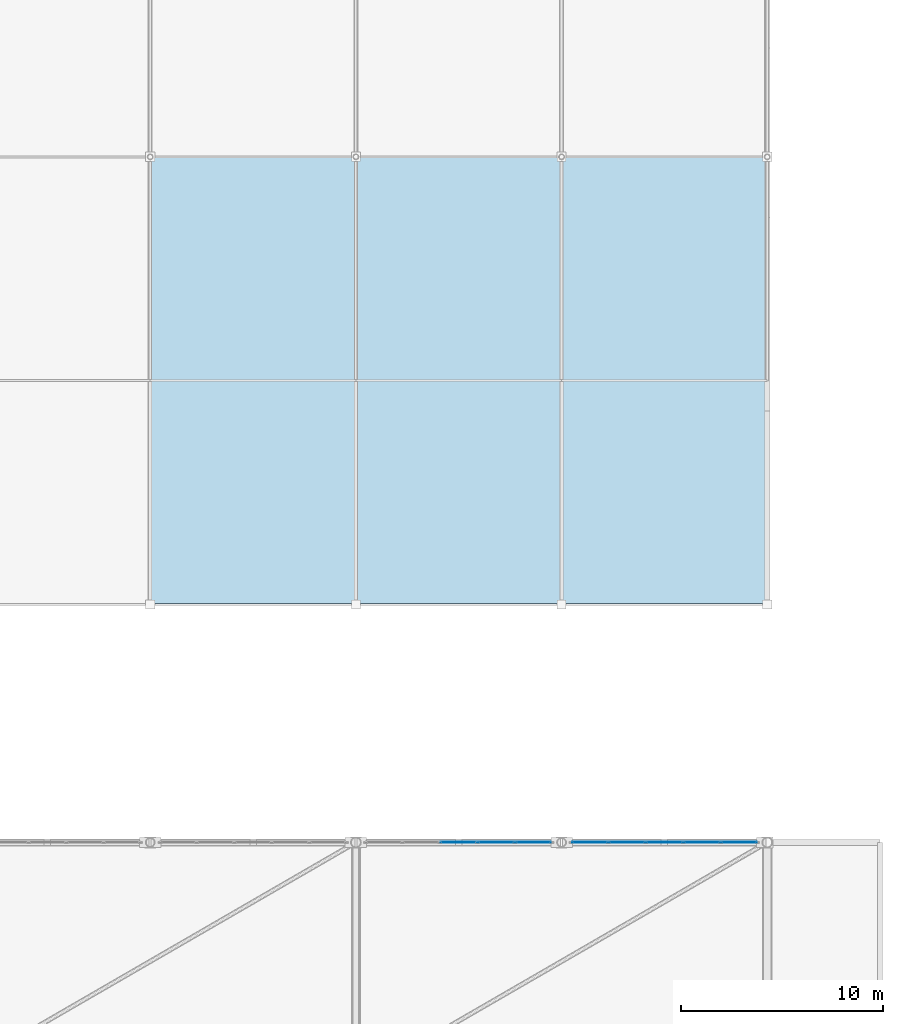
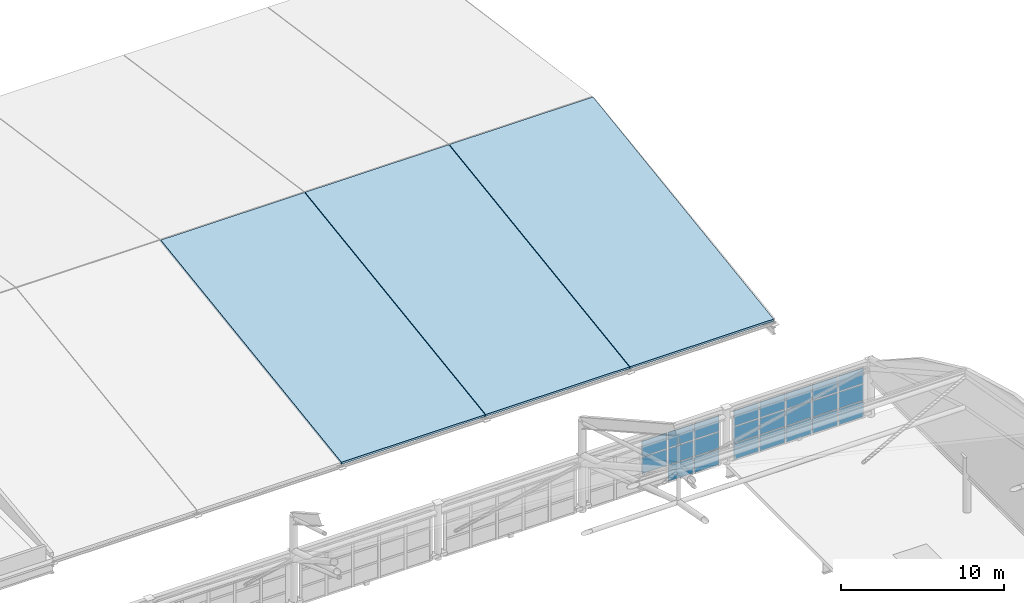
# One storey, part 113 of 135: 23 plates, 3 slabs, 2 elements without a shape of their own.
"""IFC4 building model written with IfcOpenShell, lengths in metres."""

from ifc_helpers import new_model, si_unit, direction, frame, origin, origin_2d, place, context, subcontext, project, spatial, polyline, rectangle, outline, extrude, material, layer, layer_set, type_object, element, aggregate, save


model = new_model("IFC4")

# Units and contexts
model_context = context("Model", 3, precision=1e-05, world=origin(), true_north=direction((0.0, 1.0)))
body_context = subcontext(model_context, "Body", "Model", "MODEL_VIEW")
ifc_project = project(units=[si_unit("LENGTHUNIT", "METRE"), si_unit("AREAUNIT", "SQUARE_METRE"), si_unit("VOLUMEUNIT", "CUBIC_METRE"), si_unit("PLANEANGLEUNIT", "RADIAN"), si_unit("MASSUNIT", "GRAM", prefix="KILO")], contexts=[model_context])

# Site, building, storey
site_placement = place(None, origin())
site = spatial("IfcSite", under=ifc_project, at=site_placement, CompositionType="ELEMENT")
building_placement = place(site_placement, origin())
building = spatial("IfcBuilding", under=site, at=building_placement, Name="Brelvane Convention Centre", CompositionType="ELEMENT")
storey_placement = place(building_placement, frame((0.0, 0.0, 15.0)))
storey = spatial("IfcBuildingStorey", under=building, at=storey_placement, Name="L03", CompositionType="ELEMENT", Elevation=15.0)

# Curtain wall, plates
ifc_material_1 = material(Name="Anodised Aluminium Alloy 6063-T6", Category="aluminium")
curtain_wall_type = type_object("IfcCurtainWallType", Name="Curtain Wall CW-PLEN-E", PredefinedType="USERDEFINED", material=ifc_material_1)
curtain_wall_1_placement = place(storey_placement, origin())
curtain_wall_1 = element("IfcCurtainWall", 1, at=curtain_wall_1_placement, inside=storey, type_object=curtain_wall_type, Name="Curtain Wall CW-PLEN-E L03-PLEN-N-CLER-5", ObjectType="UNITISED", PredefinedType="USERDEFINED")
ifc_material_2 = material(Name="Double Glazed Low-E Laminated Unit")
ifc_layer_1 = layer(ifc_material_2, 0.0439453125)
ifc_layer_set_1 = layer_set([ifc_layer_1], Name="Double Glazed Low-E Laminated Unit")
plate_type = type_object("IfcPlateType", Name="Curtain Panel CW-PG3", PredefinedType="CURTAIN_PANEL", material=ifc_layer_set_1)
plate_1_placement = place(storey_placement, frame((209.10009765625, 87.800048828125, 1.3017578125), z_axis=(0.0, 0.0, 1.0), x_axis=(1.0, 0.0, 0.0)))
plate_1 = element("IfcPlate", 2, at=plate_1_placement, type_object=plate_type, Name="CW-PLEN-E panel 3.2", PredefinedType="CURTAIN_PANEL", context=body_context, shape_type="SweptSolid", body=[
    extrude(rectangle(XDim=1.784912109375, YDim=0.0439453125, at=origin_2d()), origin(), (0.0, 0.0, 1.0), 1.196533203125),
])
plate_2_placement = place(storey_placement, frame((209.10009765625, 87.800048828125, 2.568359375), z_axis=(0.0, 0.0, 1.0), x_axis=(1.0, 0.0, 0.0)))
plate_2 = element("IfcPlate", 3, at=plate_2_placement, type_object=plate_type, Name="CW-PLEN-E panel 3.3", PredefinedType="CURTAIN_PANEL", context=body_context, shape_type="SweptSolid", body=[
    extrude(rectangle(XDim=1.784912109375, YDim=0.0439453125, at=origin_2d()), origin(), (0.0, 0.0, 1.0), 1.16162109375),
])
plate_3_placement = place(storey_placement, frame((210.9599609375, 87.800048828125, 0.070068359375), z_axis=(0.0, 0.0, 1.0), x_axis=(1.0, 0.0, 0.0)))
plate_3 = element("IfcPlate", 4, at=plate_3_placement, type_object=plate_type, Name="CW-PLEN-E panel 4.1", PredefinedType="CURTAIN_PANEL", context=body_context, shape_type="SweptSolid", body=[
    extrude(rectangle(XDim=1.784912109375, YDim=0.0439453125, at=origin_2d()), origin(), (0.0, 0.0, 1.0), 1.16162109375),
])
plate_4_placement = place(storey_placement, frame((210.9599609375, 87.800048828125, 1.3017578125), z_axis=(0.0, 0.0, 1.0), x_axis=(1.0, 0.0, 0.0)))
plate_4 = element("IfcPlate", 5, at=plate_4_placement, type_object=plate_type, Name="CW-PLEN-E panel 4.2", PredefinedType="CURTAIN_PANEL", context=body_context, shape_type="SweptSolid", body=[
    extrude(rectangle(XDim=1.784912109375, YDim=0.0439453125, at=origin_2d()), origin(), (0.0, 0.0, 1.0), 1.196533203125),
])
plate_5_placement = place(storey_placement, frame((210.9599609375, 87.800048828125, 2.568359375), z_axis=(0.0, 0.0, 1.0), x_axis=(1.0, 0.0, 0.0)))
plate_5 = element("IfcPlate", 6, at=plate_5_placement, type_object=plate_type, Name="CW-PLEN-E panel 4.3", PredefinedType="CURTAIN_PANEL", context=body_context, shape_type="SweptSolid", body=[
    extrude(rectangle(XDim=1.784912109375, YDim=0.0439453125, at=origin_2d()), origin(), (0.0, 0.0, 1.0), 1.16162109375),
])
plate_6_placement = place(storey_placement, frame((212.80126953125, 87.800048828125, 0.070068359375), z_axis=(0.0, 0.0, 1.0), x_axis=(1.0, 0.0, 0.0)))
plate_6 = element("IfcPlate", 7, at=plate_6_placement, type_object=plate_type, Name="CW-PLEN-E panel 5.1", PredefinedType="CURTAIN_PANEL", context=body_context, shape_type="SweptSolid", body=[
    extrude(rectangle(XDim=1.74755859375, YDim=0.0439453125, at=origin_2d()), origin(), (0.0, 0.0, 1.0), 1.16162109375),
])
plate_7_placement = place(storey_placement, frame((212.80126953125, 87.800048828125, 1.3017578125), z_axis=(0.0, 0.0, 1.0), x_axis=(1.0, 0.0, 0.0)))
plate_7 = element("IfcPlate", 8, at=plate_7_placement, type_object=plate_type, Name="CW-PLEN-E panel 5.2", PredefinedType="CURTAIN_PANEL", context=body_context, shape_type="SweptSolid", body=[
    extrude(rectangle(XDim=1.74755859375, YDim=0.0439453125, at=origin_2d()), origin(), (0.0, 0.0, 1.0), 1.196533203125),
])
plate_8_placement = place(storey_placement, frame((212.80126953125, 87.800048828125, 2.568359375), z_axis=(0.0, 0.0, 1.0), x_axis=(1.0, 0.0, 0.0)))
plate_8 = element("IfcPlate", 9, at=plate_8_placement, type_object=plate_type, Name="CW-PLEN-E panel 5.3", PredefinedType="CURTAIN_PANEL", context=body_context, shape_type="SweptSolid", body=[
    extrude(rectangle(XDim=1.74755859375, YDim=0.0439453125, at=origin_2d()), origin(), (0.0, 0.0, 1.0), 1.16162109375),
])
aggregate(curtain_wall_1, [plate_1, plate_2, plate_3, plate_4, plate_5, plate_6, plate_7, plate_8])

curtain_wall_2_placement = place(storey_placement, origin())
curtain_wall_2 = element("IfcCurtainWall", 10, at=curtain_wall_2_placement, inside=storey, type_object=curtain_wall_type, Name="Curtain Wall CW-PLEN-E L03-PLEN-N-CLER-6", ObjectType="UNITISED", PredefinedType="USERDEFINED")
plate_9_placement = place(storey_placement, frame((215.5986328125, 87.800048828125, 0.070068359375), z_axis=(0.0, 0.0, 1.0), x_axis=(1.0, 0.0, 0.0)))
plate_9 = element("IfcPlate", 11, at=plate_9_placement, type_object=plate_type, Name="CW-PLEN-E panel 1.1", PredefinedType="CURTAIN_PANEL", context=body_context, shape_type="SweptSolid", body=[
    extrude(rectangle(XDim=1.74755859375, YDim=0.0439453125, at=origin_2d()), origin(), (0.0, 0.0, 1.0), 1.16162109375),
])
plate_10_placement = place(storey_placement, frame((215.5986328125, 87.800048828125, 1.3017578125), z_axis=(0.0, 0.0, 1.0), x_axis=(1.0, 0.0, 0.0)))
plate_10 = element("IfcPlate", 12, at=plate_10_placement, type_object=plate_type, Name="CW-PLEN-E panel 1.2", PredefinedType="CURTAIN_PANEL", context=body_context, shape_type="SweptSolid", body=[
    extrude(rectangle(XDim=1.74755859375, YDim=0.0439453125, at=origin_2d()), origin(), (0.0, 0.0, 1.0), 1.196533203125),
])
plate_11_placement = place(storey_placement, frame((215.5986328125, 87.800048828125, 2.568359375), z_axis=(0.0, 0.0, 1.0), x_axis=(1.0, 0.0, 0.0)))
plate_11 = element("IfcPlate", 13, at=plate_11_placement, type_object=plate_type, Name="CW-PLEN-E panel 1.3", PredefinedType="CURTAIN_PANEL", context=body_context, shape_type="SweptSolid", body=[
    extrude(rectangle(XDim=1.74755859375, YDim=0.0439453125, at=origin_2d()), origin(), (0.0, 0.0, 1.0), 1.16162109375),
])
plate_12_placement = place(storey_placement, frame((217.43994140625, 87.800048828125, 0.070068359375), z_axis=(0.0, 0.0, 1.0), x_axis=(1.0, 0.0, 0.0)))
plate_12 = element("IfcPlate", 14, at=plate_12_placement, type_object=plate_type, Name="CW-PLEN-E panel 2.1", PredefinedType="CURTAIN_PANEL", context=body_context, shape_type="SweptSolid", body=[
    extrude(rectangle(XDim=1.784912109375, YDim=0.0439453125, at=origin_2d()), origin(), (0.0, 0.0, 1.0), 1.16162109375),
])
plate_13_placement = place(storey_placement, frame((217.43994140625, 87.800048828125, 1.3017578125), z_axis=(0.0, 0.0, 1.0), x_axis=(1.0, 0.0, 0.0)))
plate_13 = element("IfcPlate", 15, at=plate_13_placement, type_object=plate_type, Name="CW-PLEN-E panel 2.2", PredefinedType="CURTAIN_PANEL", context=body_context, shape_type="SweptSolid", body=[
    extrude(rectangle(XDim=1.784912109375, YDim=0.0439453125, at=origin_2d()), origin(), (0.0, 0.0, 1.0), 1.196533203125),
])
plate_14_placement = place(storey_placement, frame((217.43994140625, 87.800048828125, 2.568359375), z_axis=(0.0, 0.0, 1.0), x_axis=(1.0, 0.0, 0.0)))
plate_14 = element("IfcPlate", 16, at=plate_14_placement, type_object=plate_type, Name="CW-PLEN-E panel 2.3", PredefinedType="CURTAIN_PANEL", context=body_context, shape_type="SweptSolid", body=[
    extrude(rectangle(XDim=1.784912109375, YDim=0.0439453125, at=origin_2d()), origin(), (0.0, 0.0, 1.0), 1.16162109375),
])
plate_15_placement = place(storey_placement, frame((219.300048828125, 87.800048828125, 0.070068359375), z_axis=(0.0, 0.0, 1.0), x_axis=(1.0, 0.0, 0.0)))
plate_15 = element("IfcPlate", 17, at=plate_15_placement, type_object=plate_type, Name="CW-PLEN-E panel 3.1", PredefinedType="CURTAIN_PANEL", context=body_context, shape_type="SweptSolid", body=[
    extrude(rectangle(XDim=1.784912109375, YDim=0.0439453125, at=origin_2d()), origin(), (0.0, 0.0, 1.0), 1.16162109375),
])
plate_16_placement = place(storey_placement, frame((219.300048828125, 87.800048828125, 1.3017578125), z_axis=(0.0, 0.0, 1.0), x_axis=(1.0, 0.0, 0.0)))
plate_16 = element("IfcPlate", 18, at=plate_16_placement, type_object=plate_type, Name="CW-PLEN-E panel 3.2", PredefinedType="CURTAIN_PANEL", context=body_context, shape_type="SweptSolid", body=[
    extrude(rectangle(XDim=1.784912109375, YDim=0.0439453125, at=origin_2d()), origin(), (0.0, 0.0, 1.0), 1.196533203125),
])
plate_17_placement = place(storey_placement, frame((219.300048828125, 87.800048828125, 2.568359375), z_axis=(0.0, 0.0, 1.0), x_axis=(1.0, 0.0, 0.0)))
plate_17 = element("IfcPlate", 19, at=plate_17_placement, type_object=plate_type, Name="CW-PLEN-E panel 3.3", PredefinedType="CURTAIN_PANEL", context=body_context, shape_type="SweptSolid", body=[
    extrude(rectangle(XDim=1.784912109375, YDim=0.0439453125, at=origin_2d()), origin(), (0.0, 0.0, 1.0), 1.16162109375),
])
plate_18_placement = place(storey_placement, frame((221.159912109375, 87.800048828125, 0.070068359375), z_axis=(0.0, 0.0, 1.0), x_axis=(1.0, 0.0, 0.0)))
plate_18 = element("IfcPlate", 20, at=plate_18_placement, type_object=plate_type, Name="CW-PLEN-E panel 4.1", PredefinedType="CURTAIN_PANEL", context=body_context, shape_type="SweptSolid", body=[
    extrude(rectangle(XDim=1.784912109375, YDim=0.0439453125, at=origin_2d()), origin(), (0.0, 0.0, 1.0), 1.16162109375),
])
plate_19_placement = place(storey_placement, frame((221.159912109375, 87.800048828125, 1.3017578125), z_axis=(0.0, 0.0, 1.0), x_axis=(1.0, 0.0, 0.0)))
plate_19 = element("IfcPlate", 21, at=plate_19_placement, type_object=plate_type, Name="CW-PLEN-E panel 4.2", PredefinedType="CURTAIN_PANEL", context=body_context, shape_type="SweptSolid", body=[
    extrude(rectangle(XDim=1.784912109375, YDim=0.0439453125, at=origin_2d()), origin(), (0.0, 0.0, 1.0), 1.196533203125),
])
plate_20_placement = place(storey_placement, frame((221.159912109375, 87.800048828125, 2.568359375), z_axis=(0.0, 0.0, 1.0), x_axis=(1.0, 0.0, 0.0)))
plate_20 = element("IfcPlate", 22, at=plate_20_placement, type_object=plate_type, Name="CW-PLEN-E panel 4.3", PredefinedType="CURTAIN_PANEL", context=body_context, shape_type="SweptSolid", body=[
    extrude(rectangle(XDim=1.784912109375, YDim=0.0439453125, at=origin_2d()), origin(), (0.0, 0.0, 1.0), 1.16162109375),
])
plate_21_placement = place(storey_placement, frame((223.001220703125, 87.800048828125, 0.070068359375), z_axis=(0.0, 0.0, 1.0), x_axis=(1.0, 0.0, 0.0)))
plate_21 = element("IfcPlate", 23, at=plate_21_placement, type_object=plate_type, Name="CW-PLEN-E panel 5.1", PredefinedType="CURTAIN_PANEL", context=body_context, shape_type="SweptSolid", body=[
    extrude(rectangle(XDim=1.74755859375, YDim=0.0439453125, at=origin_2d()), origin(), (0.0, 0.0, 1.0), 1.16162109375),
])
plate_22_placement = place(storey_placement, frame((223.001220703125, 87.800048828125, 1.3017578125), z_axis=(0.0, 0.0, 1.0), x_axis=(1.0, 0.0, 0.0)))
plate_22 = element("IfcPlate", 24, at=plate_22_placement, type_object=plate_type, Name="CW-PLEN-E panel 5.2", PredefinedType="CURTAIN_PANEL", context=body_context, shape_type="SweptSolid", body=[
    extrude(rectangle(XDim=1.74755859375, YDim=0.0439453125, at=origin_2d()), origin(), (0.0, 0.0, 1.0), 1.196533203125),
])
plate_23_placement = place(storey_placement, frame((223.001220703125, 87.800048828125, 2.568359375), z_axis=(0.0, 0.0, 1.0), x_axis=(1.0, 0.0, 0.0)))
plate_23 = element("IfcPlate", 25, at=plate_23_placement, type_object=plate_type, Name="CW-PLEN-E panel 5.3", PredefinedType="CURTAIN_PANEL", context=body_context, shape_type="SweptSolid", body=[
    extrude(rectangle(XDim=1.74755859375, YDim=0.0439453125, at=origin_2d()), origin(), (0.0, 0.0, 1.0), 1.16162109375),
])
aggregate(curtain_wall_2, [plate_9, plate_10, plate_11, plate_12, plate_13, plate_14, plate_15, plate_16, plate_17, plate_18, plate_19, plate_20, plate_21, plate_22, plate_23])

# Slabs
ifc_material_3 = material(Name="Steel E350 (350 MPa)", Category="steel")
ifc_layer_2 = layer(ifc_material_3, 0.179931640625)
ifc_layer_set_2 = layer_set([ifc_layer_2], Name="Steel E350 (350 MPa)")
slab_type = type_object("IfcSlabType", Name="Structural Slab SL-ROOF-SF-180", PredefinedType="ROOF", material=ifc_layer_set_2)
for number, where, z_axis, x_axis, name in (
    (26, (193.820068359375, 99.639892578125, 0.0), (0.0, -0.142915344882, 0.989734916125), (1.0, 0.0, 0.0), "Ballroom Pitched Roof Panel 3-S"),
    (27, (204.02001953125, 99.639892578125, 0.0), (0.0, -0.142915344882, 0.989734916125), (1.0, 0.0, 0.0), "Ballroom Pitched Roof Panel 4-S"),
    (28, (214.219970703125, 99.639892578125, 0.0), (0.0, -0.142915344882, 0.989734916125), (1.0, 0.0, 0.0), "Ballroom Pitched Roof Panel 5-S"),
):
    element("IfcSlab", number, at=place(storey_placement, frame(where, z_axis=z_axis, x_axis=x_axis)), inside=storey, type_object=slab_type, Name=name, PredefinedType="ROOF", context=body_context, shape_type="SweptSolid", body=[
        extrude(outline(polyline([(0.0, 0.0), (10.159912109375, 0.0), (10.159912109375, 22.34953705998397), (0.0, 22.34953705998397), (0.0, 0.0)])), origin(), (0.0, 0.0, -1.0), 0.179931640625),
    ])

save(model, "model.ifc")
